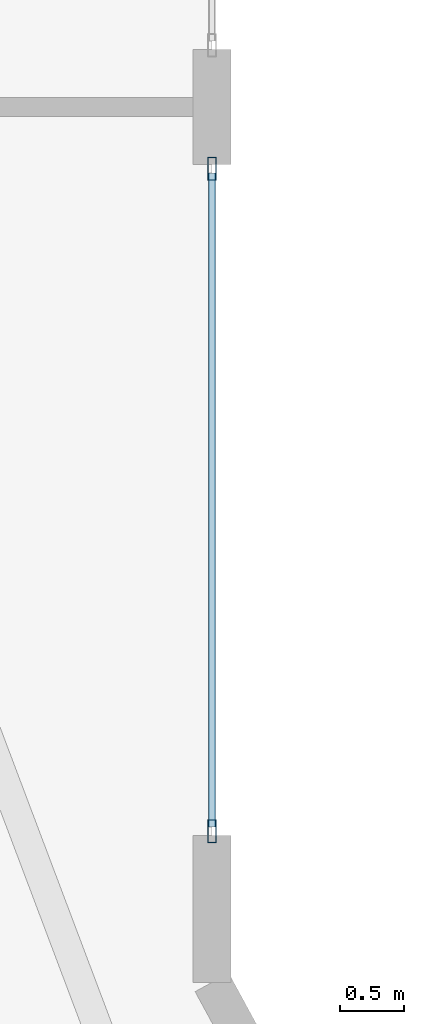
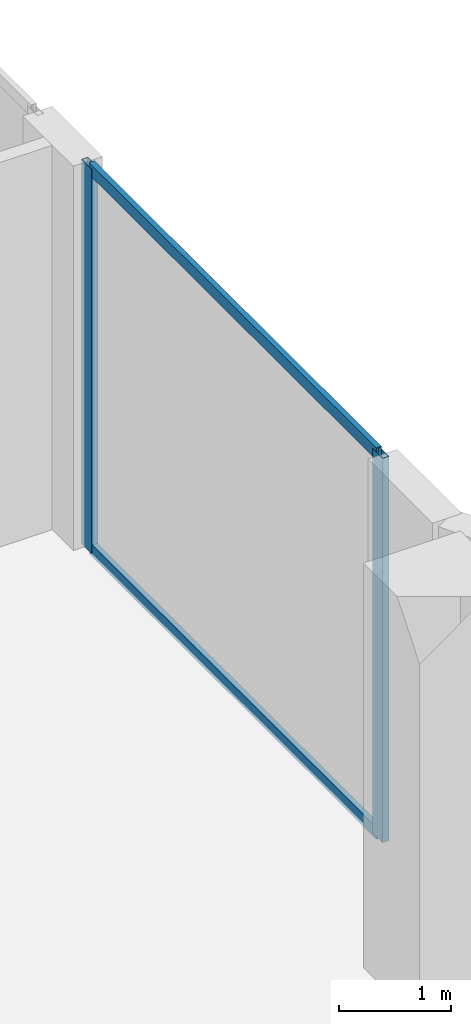
# One storey, part 10 of 24: 4 members, 1 element without a shape of its own.
"""IFC4 building model written with IfcOpenShell, lengths in metres."""

import ifcopenshell
import ifcopenshell.guid

model = None  # the IFC model being written
_history = None  # IfcOwnerHistory: only IFC2X3 demands one
_inside = {}  # id of a spatial element -> (the spatial element, [elements in it])
_under = {}  # id of a project, library or spatial element -> (it, [spatial elements below it])
_declared = {}  # id of a project -> (the project, [libraries it declares])
_typed = {}  # id of a type object -> (the type object, [elements of that type])
_made_of = {}  # id of a material, layer set ... -> (it, [elements and type objects made of it])


def new_model(schema):
    """Start an empty IFC model of exactly this schema.

    Asked for "IFC4X3", IfcOpenShell would pick the latest addendum, in which some entities
    have other attributes; the version numbers below select the first issue.
    IFC2X3 requires an IfcOwnerHistory on every rooted entity: one is made here for all.
    """
    global model, _history
    if schema == "IFC4X3":
        model = ifcopenshell.file(schema_version=(4, 3, 0, 0))
    else:
        model = ifcopenshell.file(schema=schema)
    _inside.clear()
    _under.clear()
    _declared.clear()
    _typed.clear()
    _made_of.clear()
    _history = None
    if model.schema == "IFC2X3":
        org = make("IfcOrganization", Name="unknown")
        user = make(
            "IfcPersonAndOrganization",
            ThePerson=make("IfcPerson", FamilyName="unknown"),
            TheOrganization=org,
        )
        app = make(
            "IfcApplication",
            ApplicationDeveloper=org,
            Version="unknown",
            ApplicationFullName="unknown",
            ApplicationIdentifier="unknown",
        )
        _history = make(
            "IfcOwnerHistory",
            OwningUser=user,
            OwningApplication=app,
            ChangeAction="ADDED",
            CreationDate=0,
        )
    return model


def make(cls, **values):
    """One entity of the class cls with the attributes given. An attribute that is None is left unset."""
    return model.create_entity(
        cls, **{name: value for name, value in values.items() if value is not None}
    )


def rooted(cls, **values):
    """An entity with a GlobalId (a new one), such as an element, a storey or a relation."""
    return make(cls, GlobalId=ifcopenshell.guid.new(), OwnerHistory=_history, **values)


def si_unit(unit_type, name, prefix=None):
    """IfcSIUnit, for example si_unit("LENGTHUNIT", "METRE", prefix="MILLI")."""
    return make("IfcSIUnit", UnitType=unit_type, Prefix=prefix, Name=name)


def assignment(units):
    """IfcUnitAssignment: the units of a project."""
    return None if units is None else make("IfcUnitAssignment", Units=units)


def point(xyz):
    """IfcCartesianPoint."""
    return None if xyz is None else make("IfcCartesianPoint", Coordinates=xyz)


def direction(xyz):
    """IfcDirection."""
    return None if xyz is None else make("IfcDirection", DirectionRatios=xyz)


def frame(location, z_axis=None, x_axis=None):
    """IfcAxis2Placement3D, a coordinate frame: its origin and axes. An axis left out is left unset."""
    return make(
        "IfcAxis2Placement3D",
        Location=point(location),
        Axis=direction(z_axis),
        RefDirection=direction(x_axis),
    )


def frame_2d(location, x_axis=None):
    """IfcAxis2Placement2D, a coordinate frame in the plane: its origin and x axis."""
    return make(
        "IfcAxis2Placement2D", Location=point(location), RefDirection=direction(x_axis)
    )


def origin():
    """The frame at (0, 0, 0) with its axes left unset."""
    return frame((0.0, 0.0, 0.0))


def origin_2d():
    """The frame at (0, 0) in the plane with its x axis left unset."""
    return frame_2d((0.0, 0.0))


def place(relative_to, where):
    """IfcLocalPlacement: puts the frame where relative to a parent placement (None: the world)."""
    return make(
        "IfcLocalPlacement", PlacementRelTo=relative_to, RelativePlacement=where
    )


def context(
    kind, dimensions, precision=None, world=None, true_north=None, identifier=None
):
    """IfcGeometricRepresentationContext, for example the 3D "Model" context."""
    return make(
        "IfcGeometricRepresentationContext",
        ContextIdentifier=identifier,
        ContextType=kind,
        CoordinateSpaceDimension=dimensions,
        Precision=precision,
        WorldCoordinateSystem=world,
        TrueNorth=true_north,
    )


def subcontext(parent, identifier, kind, view, scale=None):
    """IfcGeometricRepresentationSubContext, for example "Body" below "Model"."""
    return make(
        "IfcGeometricRepresentationSubContext",
        ContextIdentifier=identifier,
        ContextType=kind,
        ParentContext=parent,
        TargetScale=scale,
        TargetView=view,
    )


def project(units=None, contexts=None):
    """IfcProject with its units and contexts."""
    return rooted(
        "IfcProject",
        Name="project",
        RepresentationContexts=contexts,
        UnitsInContext=assignment(units),
    )


def spatial(cls, under=None, at=None, **own):
    """A site, building, storey or space (cls), placed at a placement, below another one or the project."""
    s = rooted(cls, ObjectPlacement=at, **own)
    if under is not None:
        _under.setdefault(under.id(), (under, []))[1].append(s)
    return s


def profile(cls, at=None, kind="AREA", **sizes):
    """A parametric profile (cls). Its sizes go by their IFC names, for example OverallWidth=200.0."""
    return make(cls, ProfileType=kind, Position=at, **sizes)


def hollow_rectangle(**sizes):
    """IfcRectangleHollowProfileDef."""
    return profile("IfcRectangleHollowProfileDef", **sizes)


def extrude(swept, where, along, depth):
    """IfcExtrudedAreaSolid: the profile swept, set in the frame where, extruded along a direction by depth."""
    return make(
        "IfcExtrudedAreaSolid",
        SweptArea=swept,
        Position=where,
        ExtrudedDirection=direction(along),
        Depth=depth,
    )


def shape(context_of_items, identifier, shape_type, items):
    """IfcShapeRepresentation: the items that make up one representation, for example the "Body"."""
    return make(
        "IfcShapeRepresentation",
        ContextOfItems=context_of_items,
        RepresentationIdentifier=identifier,
        RepresentationType=shape_type,
        Items=items,
    )


def material(Name=None, Category=None):
    """IfcMaterial."""
    return make("IfcMaterial", Name=Name, Category=Category)


def layer(
    of_material, thickness, ventilated=None, Name=None, Category=None, Priority=None
):
    """IfcMaterialLayer: one layer of a wall or slab, of a material (None: an air gap)."""
    return make(
        "IfcMaterialLayer",
        Material=of_material,
        LayerThickness=thickness,
        IsVentilated=ventilated,
        Name=Name,
        Category=Category,
        Priority=Priority,
    )


def layer_set(layers, Name=None):
    """IfcMaterialLayerSet."""
    return make("IfcMaterialLayerSet", MaterialLayers=layers, LayerSetName=Name)


def material_profile(
    of_material, cross_section, Name=None, Category=None, Priority=None
):
    """IfcMaterialProfile: a cross section and its material."""
    return make(
        "IfcMaterialProfile",
        Name=Name,
        Material=of_material,
        Profile=cross_section,
        Priority=Priority,
        Category=Category,
    )


def profile_set(profiles, Name=None, composite=None):
    """IfcMaterialProfileSet."""
    return make(
        "IfcMaterialProfileSet",
        Name=Name,
        MaterialProfiles=profiles,
        CompositeProfile=composite,
    )


def made_of(thing, what):
    """Note that an element or type object is made of a material, layer set ...; save() writes the relation."""
    if what is not None:
        _made_of.setdefault(what.id(), (what, []))[1].append(thing)
    return thing


def type_object(cls, material=None, **own):
    """A type object (cls), such as IfcWallType, which elements share."""
    return made_of(rooted(cls, **own), material)


def element(
    cls,
    number,
    at=None,
    inside=None,
    cuts=None,
    type_object=None,
    material=None,
    context=None,
    identifier="Body",
    shape_type=None,
    held_by="IfcProductDefinitionShape",
    body=None,
    shapes=None,
    **own,
):
    """One element of the class cls, such as IfcWall. Its Tag is "e" and its number.

    at: its placement. inside: the storey or other place that contains it. cuts: it is an
    opening in that element (IfcRelVoidsElement). A single representation is given by context,
    identifier, shape_type and body (its items); several are given by shapes. held_by: the class
    of the entity that holds the representations. save() writes the other relations.
    """
    e = rooted(cls, Tag="e%d" % number, ObjectPlacement=at, **own)
    if body is not None:
        shapes = [shape(context, identifier, shape_type, body)]
    if shapes is not None:
        e.Representation = make(held_by, Representations=shapes)
    if inside is not None:
        _inside.setdefault(inside.id(), (inside, []))[1].append(e)
    if cuts is not None:
        rooted(
            "IfcRelVoidsElement", RelatingBuildingElement=cuts, RelatedOpeningElement=e
        )
    if type_object is not None:
        _typed.setdefault(type_object.id(), (type_object, []))[1].append(e)
    return made_of(e, material)


def aggregate(whole, parts):
    """IfcRelAggregates: a whole, such as a stair, and the parts it consists of."""
    return rooted("IfcRelAggregates", RelatingObject=whole, RelatedObjects=parts)


def save(model, path):
    """Write the relations noted so far, then the file.

    IfcRelAggregates (storeys below a building ...), IfcRelContainedInSpatialStructure (elements
    in a storey), IfcRelDefinesByType, IfcRelAssociatesMaterial and IfcRelDeclares: one each for
    every whole, place, type object, material and project.
    """
    for whole, parts in _under.values():
        aggregate(whole, parts)
    for where, things in _inside.values():
        rooted(
            "IfcRelContainedInSpatialStructure",
            RelatedElements=things,
            RelatingStructure=where,
        )
    for kind, things in _typed.values():
        rooted("IfcRelDefinesByType", RelatedObjects=things, RelatingType=kind)
    for what, things in _made_of.values():
        rooted("IfcRelAssociatesMaterial", RelatedObjects=things, RelatingMaterial=what)
    for by, libraries in _declared.values():
        rooted("IfcRelDeclares", RelatingContext=by, RelatedDefinitions=libraries)
    model.write(path)


model = new_model("IFC4")

# Units and contexts
model_context = context("Model", 3, precision=1e-05, world=origin(), true_north=direction((0.0, 1.0)))
body_context = subcontext(model_context, "Body", "Model", "MODEL_VIEW")
ifc_project = project(units=[si_unit("LENGTHUNIT", "METRE"), si_unit("AREAUNIT", "SQUARE_METRE"), si_unit("VOLUMEUNIT", "CUBIC_METRE"), si_unit("PLANEANGLEUNIT", "RADIAN"), si_unit("MASSUNIT", "GRAM", prefix="KILO")], contexts=[model_context])

# Site, building, storey
site_placement = place(None, origin())
site = spatial("IfcSite", under=ifc_project, at=site_placement, CompositionType="ELEMENT")
building_placement = place(site_placement, origin())
building = spatial("IfcBuilding", under=site, at=building_placement, Name="Zuhayl Quay Hotel", CompositionType="ELEMENT")
storey_placement = place(building_placement, frame((0.0, 0.0, 284.050048828125)))
storey = spatial("IfcBuildingStorey", under=building, at=storey_placement, Name="L72", CompositionType="ELEMENT", Elevation=284.050048828125)

# Curtain wall, members
ifc_material_1 = material(Name="Anodised Aluminium 6063-T6", Category="aluminium")
ifc_layer = layer(ifc_material_1, 0.169921875, Name="Anodised Aluminium 6063-T6", Category="aluminium")
ifc_layer_set = layer_set([ifc_layer], Name="Anodised Aluminium 6063-T6")
curtain_wall_type = type_object("IfcCurtainWallType", Name="CW_SYS_Z4", PredefinedType="USERDEFINED", material=ifc_layer_set)
curtain_wall_placement = place(storey_placement, origin())
curtain_wall = element("IfcCurtainWall", 1, at=curtain_wall_placement, inside=storey, type_object=curtain_wall_type, Name="L72 Curtain Wall ENV_L72_E11_CW2", ObjectType="UNITISED CURTAIN WALL", PredefinedType="USERDEFINED")
ifc_material_2 = material(Name="Black-anodised aluminium 6063-T6", Category="aluminium")
ifc_material_profile_1 = material_profile(ifc_material_2, hollow_rectangle(XDim=0.06494140625, YDim=0.179931640625, WallThickness=0.00341796875, at=origin_2d()), Name="ALU180X65")
ifc_profile_set_1 = profile_set([ifc_material_profile_1], Name="Black-anodised aluminium 6063-T6")
member_type_1 = type_object("IfcMemberType", Name="MB_CW_MUL_180", PredefinedType="MULLION", material=ifc_profile_set_1)
member_1_placement = place(storey_placement, frame((20.199951171875, 30.467529296875, 0.0), z_axis=(0.0, 0.0, 1.0), x_axis=(1.0, 0.0, 0.0)))
member_1 = element("IfcMember", 2, at=member_1_placement, type_object=member_type_1, Name="CW-Z4 mullion 1", PredefinedType="MULLION", context=body_context, shape_type="SweptSolid", body=[
    extrude(hollow_rectangle(XDim=0.06494140625, YDim=0.179931640625, WallThickness=0.00341796875, at=origin_2d()), origin(), (0.0, 0.0, 1.0), 4.179931640625),
])
member_2_placement = place(storey_placement, frame((20.199951171875, 25.282470703125, 0.0), z_axis=(0.0, 0.0, 1.0), x_axis=(1.0, 0.0, 0.0)))
member_2 = element("IfcMember", 3, at=member_2_placement, type_object=member_type_1, Name="CW-Z4 mullion 2", PredefinedType="MULLION", context=body_context, shape_type="SweptSolid", body=[
    extrude(hollow_rectangle(XDim=0.06494140625, YDim=0.179931640625, WallThickness=0.00341796875, at=origin_2d()), origin(), (0.0, 0.0, 1.0), 4.179931640625),
])
ifc_material_profile_2 = material_profile(ifc_material_2, hollow_rectangle(XDim=0.054931640625, YDim=0.1298828125, WallThickness=0.0029296875, at=origin_2d()), Name="ALU130X55")
ifc_profile_set_2 = profile_set([ifc_material_profile_2], Name="Black-anodised aluminium 6063-T6")
member_type_2 = type_object("IfcMemberType", Name="MB_CW_TRN_130", PredefinedType="USERDEFINED", material=ifc_profile_set_2)
member_3_placement = place(storey_placement, frame((20.199951171875, 30.43505859375, 0.02734375), z_axis=(0.0, -1.0, 0.0), x_axis=(1.0, 0.0, 0.0)))
member_3 = element("IfcMember", 4, at=member_3_placement, type_object=member_type_2, Name="CW-Z4 transom 1.1", ObjectType="TRANSOM", PredefinedType="USERDEFINED", context=body_context, shape_type="SweptSolid", body=[
    extrude(hollow_rectangle(XDim=0.054931640625, YDim=0.1298828125, WallThickness=0.0029296875, at=origin_2d()), origin(), (0.0, 0.0, 1.0), 5.1201171875),
])
member_4_placement = place(storey_placement, frame((20.199951171875, 30.43505859375, 4.15234375), z_axis=(0.0, -1.0, 0.0), x_axis=(1.0, 0.0, 0.0)))
member_4 = element("IfcMember", 5, at=member_4_placement, type_object=member_type_2, Name="CW-Z4 transom 1.2", ObjectType="TRANSOM", PredefinedType="USERDEFINED", context=body_context, shape_type="SweptSolid", body=[
    extrude(hollow_rectangle(XDim=0.054931640625, YDim=0.1298828125, WallThickness=0.0029296875, at=origin_2d()), origin(), (0.0, 0.0, 1.0), 5.1201171875),
])
aggregate(curtain_wall, [member_1, member_2, member_3, member_4])

save(model, "model.ifc")
